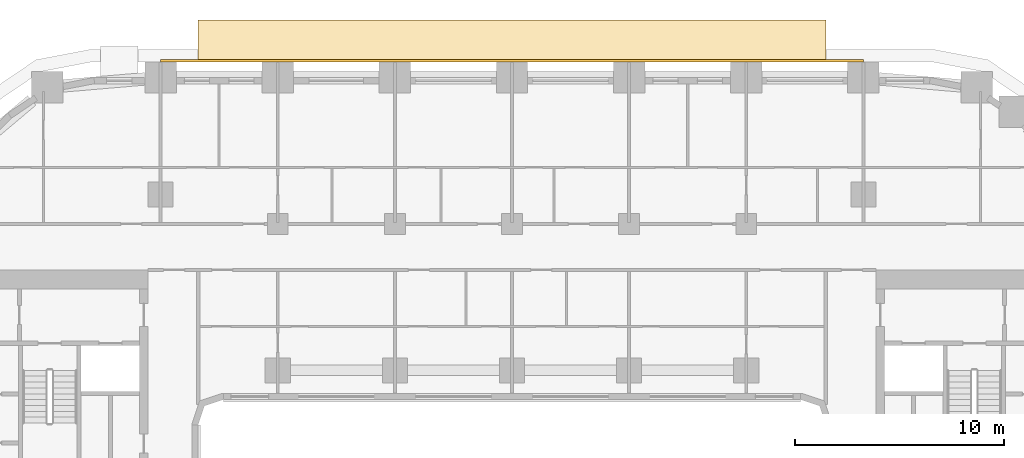
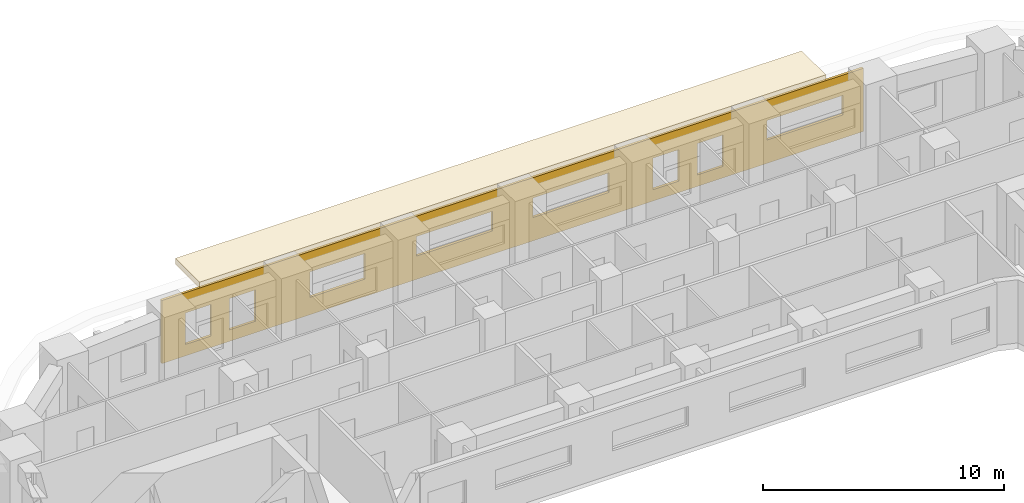
# One storey, part 21 of 22: 2 coverings.
"""IFC4 building model written with IfcOpenShell, lengths in metres."""

from ifc_helpers import new_model, si_unit, direction, frame, origin, place, context, subcontext, project, spatial, polyline, outline, extrude, material, layer, layer_set, type_object, element, save


model = new_model("IFC4")

# Units and contexts
model_context = context("Model", 3, precision=1e-05, world=origin(), true_north=direction((0.0, 1.0)))
body_context = subcontext(model_context, "Body", "Model", "MODEL_VIEW")
ifc_project = project(units=[si_unit("LENGTHUNIT", "METRE"), si_unit("AREAUNIT", "SQUARE_METRE"), si_unit("VOLUMEUNIT", "CUBIC_METRE"), si_unit("PLANEANGLEUNIT", "RADIAN"), si_unit("MASSUNIT", "GRAM", prefix="KILO")], contexts=[model_context])

# Site, building, storey
site_placement = place(None, origin())
site = spatial("IfcSite", under=ifc_project, at=site_placement, CompositionType="ELEMENT")
building_placement = place(site_placement, origin())
building = spatial("IfcBuilding", under=site, at=building_placement, Name="Kiln Ring Residences", CompositionType="ELEMENT")
storey_placement = place(building_placement, frame((0.0, 0.0, 44.5)))
storey = spatial("IfcBuildingStorey", under=building, at=storey_placement, Name="L10", CompositionType="ELEMENT", Elevation=44.5)

# Coverings
ifc_material_1 = material(Name="Brick masonry, dark clay brick", Category="masonry")
ifc_layer_1 = layer(ifc_material_1, 0.1201171875)
ifc_layer_set_1 = layer_set([ifc_layer_1], Name="RAINSCREEN PANEL 120")
covering_type_1 = type_object("IfcCoveringType", Name="RAINSCREEN PANEL 120", PredefinedType="CLADDING", material=ifc_layer_set_1)
covering_1_placement = place(storey_placement, frame((16.800048828125, 23.2099609375, 0.0), z_axis=(0.0, 0.0, 1.0), x_axis=(-1.0, 0.0, 0.0)))
element("IfcCovering", 1, at=covering_1_placement, inside=storey, type_object=covering_type_1, Name="RAINSCREEN L10", PredefinedType="CLADDING", context=body_context, shape_type="SweptSolid", body=[
    extrude(outline(polyline([(0.0, 0.0), (33.60009765625, 0.0), (33.60009765625, 3.199951171875), (0.0, 3.199951171875), (0.0, 0.0)]), holes=[polyline([(6.717529296875, 0.580078125), (7.95751953125, 0.580078125), (7.95751953125, 2.169921875), (6.717529296875, 2.169921875), (6.717529296875, 0.580078125)]), polyline([(8.842529296875, 0.580078125), (10.08251953125, 0.580078125), (10.08251953125, 2.169921875), (8.842529296875, 2.169921875), (8.842529296875, 0.580078125)]), polyline([(29.117431640625, 0.580078125), (30.357421875, 0.580078125), (30.357421875, 2.169921875), (29.117431640625, 2.169921875), (29.117431640625, 0.580078125)]), polyline([(31.242431640625, 0.580078125), (32.482421875, 0.580078125), (32.482421875, 2.169921875), (31.242431640625, 2.169921875), (31.242431640625, 0.580078125)]), polyline([(23.8798828125, 0.8798828125), (26.52001953125, 0.8798828125), (26.52001953125, 2.169921875), (23.8798828125, 2.169921875), (23.8798828125, 0.8798828125)]), polyline([(0.97998046875, 1.179931640625), (4.6201171875, 1.179931640625), (4.6201171875, 2.169921875), (0.97998046875, 2.169921875), (0.97998046875, 1.179931640625)]), polyline([(12.179931640625, 1.179931640625), (15.820068359375, 1.179931640625), (15.820068359375, 2.169921875), (12.179931640625, 2.169921875), (12.179931640625, 1.179931640625)]), polyline([(17.780029296875, 1.179931640625), (21.419921875, 1.179931640625), (21.419921875, 2.169921875), (17.780029296875, 2.169921875), (17.780029296875, 1.179931640625)])]), frame((0.0, 0.06005859375, 0.0), z_axis=(0.0, -1.0, 0.0), x_axis=(1.0, 0.0, 0.0)), (0.0, 0.0, 1.0), 0.1201171875),
])
ifc_material_2 = material(Name="Black powder-coated steel", Category="steel")
ifc_layer_2 = layer(ifc_material_2, 0.300048828125)
ifc_layer_set_2 = layer_set([ifc_layer_2], Name="SUNSHADE BAND 2000")
covering_type_2 = type_object("IfcCoveringType", Name="SUNSHADE BAND 2000", PredefinedType="CLADDING", material=ifc_layer_set_2)
covering_2_placement = place(storey_placement, frame((0.0, 0.0, 3.199951171875)))
element("IfcCovering", 2, at=covering_2_placement, inside=storey, type_object=covering_type_2, Name="SUNSHADE BAND L10", PredefinedType="CLADDING", context=body_context, shape_type="SweptSolid", body=[
    extrude(outline(polyline([(15.0, 25.14990234375), (-15.0, 25.14990234375), (-15.0, 23.14990234375), (15.0, 23.14990234375), (15.0, 25.14990234375)])), origin(), (0.0, 0.0, 1.0), 0.300048828125),
])

save(model, "model.ifc")
